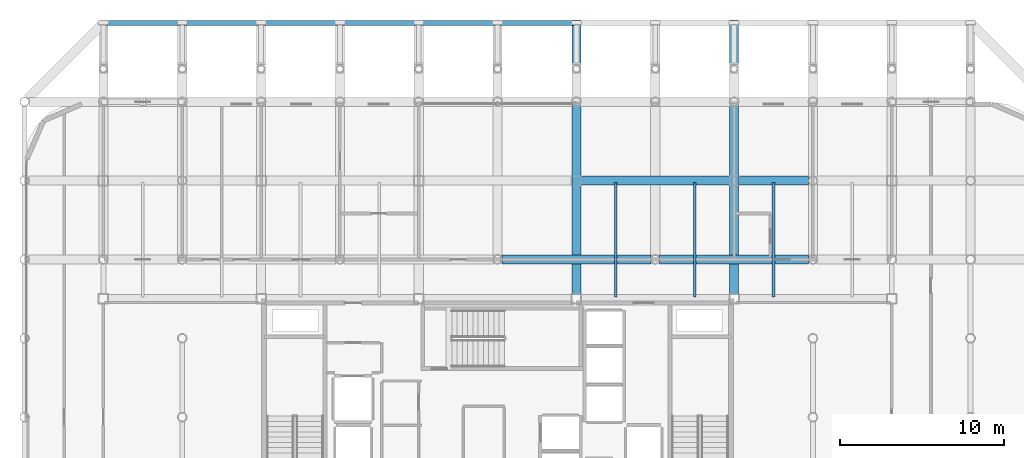
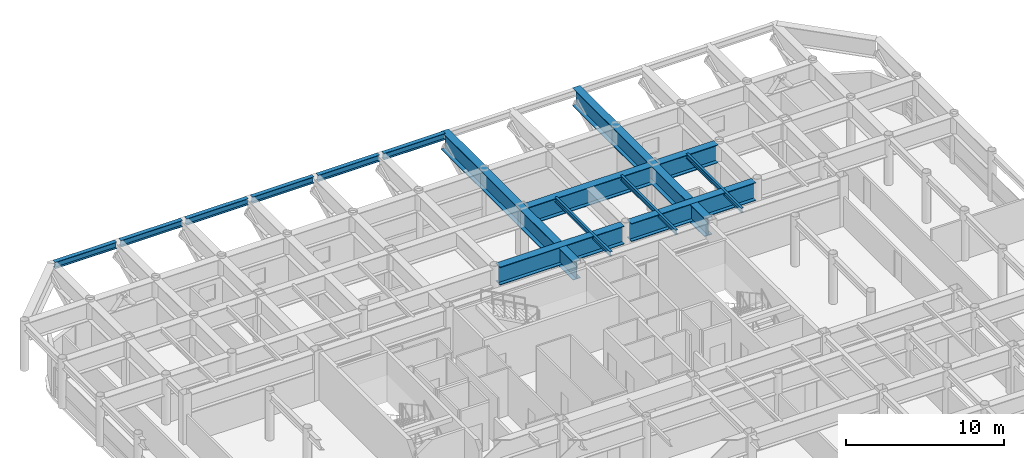
# One storey, part 15 of 24: 15 beams.
"""IFC4 building model written with IfcOpenShell, lengths in metres."""

from ifc_helpers import new_model, si_unit, direction, frame, origin, origin_2d, place, context, subcontext, project, spatial, i_section, extrude, material, material_profile, profile_set, type_object, element, save


model = new_model("IFC4")

# Units and contexts
model_context = context("Model", 3, precision=1e-05, world=origin(), true_north=direction((0.0, 1.0)))
body_context = subcontext(model_context, "Body", "Model", "MODEL_VIEW")
ifc_project = project(units=[si_unit("LENGTHUNIT", "METRE"), si_unit("AREAUNIT", "SQUARE_METRE"), si_unit("VOLUMEUNIT", "CUBIC_METRE"), si_unit("PLANEANGLEUNIT", "RADIAN"), si_unit("MASSUNIT", "GRAM", prefix="KILO")], contexts=[model_context])

# Site, building, storey
site_placement = place(None, origin())
site = spatial("IfcSite", under=ifc_project, at=site_placement, CompositionType="ELEMENT")
building_placement = place(site_placement, origin())
building = spatial("IfcBuilding", under=site, at=building_placement, Name="Kallvorn Hotel Tower", CompositionType="ELEMENT")
storey_placement = place(building_placement, frame((0.0, 0.0, 218.449951171875)))
storey = spatial("IfcBuildingStorey", under=building, at=storey_placement, Name="L54", CompositionType="ELEMENT", Elevation=218.449951171875)

# Beams
ifc_material_1 = material(Name="Structural steel S355JR", Category="steel")
ifc_material_profile_1 = material_profile(ifc_material_1, i_section(OverallWidth=0.300048828125, OverallDepth=0.5, WebThickness=0.014404296875, FlangeThickness=0.028076171875, at=origin_2d()), Name="HE 500 B")
ifc_profile_set_1 = profile_set([ifc_material_profile_1], Name="Structural steel S355JR")
beam_type_1 = type_object("IfcBeamType", Name="BM_HE500B", PredefinedType="SPANDREL", material=ifc_profile_set_1)
for number, where, z_axis, x_axis, name in (
    (1, (-23.85009765625, 24.0, 3.420166015625), (1.0, 0.0, 0.0), (0.0, 1.0, 0.0), "L55 Perimeter Spandrel 176"),
    (2, (-19.050048828125, 24.0, 3.420166015625), (1.0, 0.0, 0.0), (0.0, 1.0, 0.0), "L55 Perimeter Spandrel 177"),
    (3, (-14.25, 24.0, 3.420166015625), (1.0, 0.0, 0.0), (0.0, 1.0, 0.0), "L55 Perimeter Spandrel 178"),
    (4, (-9.449951171875, 24.0, 3.420166015625), (1.0, 0.0, 0.0), (0.0, 1.0, 0.0), "L55 Perimeter Spandrel 179"),
    (5, (-4.64990234375, 24.0, 3.420166015625), (1.0, 0.0, 0.0), (0.0, 1.0, 0.0), "L55 Perimeter Spandrel 180"),
    (6, (0.14990234375, 24.0, 3.420166015625), (1.0, 0.0, 0.0), (0.0, 1.0, 0.0), "L55 Perimeter Spandrel 181"),
):
    element("IfcBeam", number, at=place(storey_placement, frame(where, z_axis=z_axis, x_axis=x_axis)), inside=storey, type_object=beam_type_1, Name=name, PredefinedType="SPANDREL", context=body_context, shape_type="SweptSolid", body=[
        extrude(i_section(OverallWidth=0.300048828125, OverallDepth=0.5, WebThickness=0.014404296875, FlangeThickness=0.028076171875, at=origin_2d()), origin(), (0.0, 0.0, 1.0), 4.5),
    ])
ifc_material_2 = material(Name="Structural steel S355JR", Category="steel")
ifc_material_profile_2 = material_profile(ifc_material_2, i_section(OverallWidth=0.169921875, OverallDepth=0.360107421875, WebThickness=0.008056640625, FlangeThickness=0.0126953125, at=origin_2d()), Name="IPE 360")
ifc_profile_set_2 = profile_set([ifc_material_profile_2], Name="Structural steel S355JR")
beam_type_2 = type_object("IfcBeamType", Name="BM_IPE360", PredefinedType="JOIST", material=ifc_profile_set_2)
for number, where, z_axis, x_axis, name in (
    (7, (7.199951171875, 7.300048828125, 3.489990234375), (0.0, 1.0, 0.0), (-1.0, 0.0, 0.0), "L55 Secondary Composite Joist 216"),
    (8, (12.0, 7.300048828125, 3.489990234375), (0.0, 1.0, 0.0), (-1.0, 0.0, 0.0), "L55 Secondary Composite Joist 218"),
    (9, (16.800048828125, 7.300048828125, 3.489990234375), (0.0, 1.0, 0.0), (-1.0, 0.0, 0.0), "L55 Secondary Composite Joist 220"),
):
    element("IfcBeam", number, at=place(storey_placement, frame(where, z_axis=z_axis, x_axis=x_axis)), inside=storey, type_object=beam_type_2, Name=name, PredefinedType="JOIST", context=body_context, shape_type="SweptSolid", body=[
        extrude(i_section(OverallWidth=0.169921875, OverallDepth=0.360107421875, WebThickness=0.008056640625, FlangeThickness=0.0126953125, at=origin_2d()), origin(), (0.0, 0.0, 1.0), 7.0),
    ])
ifc_material_3 = material(Name="Structural steel S355JR", Category="steel")
ifc_material_profile_3 = material_profile(ifc_material_3, i_section(OverallWidth=0.550048828125, OverallDepth=1.39990234375, WebThickness=0.02490234375, FlangeThickness=0.044921875, at=origin_2d()), Name="PG 1400x550x25x45")
ifc_profile_set_3 = profile_set([ifc_material_profile_3], Name="Structural steel S355JR")
beam_type_3 = type_object("IfcBeamType", Name="BM_PG_1400", PredefinedType="BEAM", material=ifc_profile_set_3)
for number, where, z_axis, x_axis, name in (
    (10, (4.800048828125, 7.489990234375, 2.969970703125), (0.0, 1.0, 0.0), (-1.0, 0.0, 0.0), "L55 Continuous Cantilever Transfer Girder 07"),
    (11, (14.39990234375, 7.489990234375, 2.969970703125), (0.0, 1.0, 0.0), (-1.0, 0.0, 0.0), "L55 Continuous Cantilever Transfer Girder 09"),
):
    element("IfcBeam", number, at=place(storey_placement, frame(where, z_axis=z_axis, x_axis=x_axis)), inside=storey, type_object=beam_type_3, Name=name, PredefinedType="BEAM", context=body_context, shape_type="SweptSolid", body=[
        extrude(i_section(OverallWidth=0.550048828125, OverallDepth=1.39990234375, WebThickness=0.02490234375, FlangeThickness=0.044921875, at=origin_2d()), origin(), (0.0, 0.0, 1.0), 16.68994140625),
    ])
for number, where, z_axis, x_axis, name in (
    (12, (0.25439453125, 9.60009765625, 2.969970703125), (1.0, 0.0, 0.0), (0.0, 1.0, 0.0), "L55 Primary X-Girder 59"),
    (13, (9.8544921875, 9.60009765625, 2.969970703125), (1.0, 0.0, 0.0), (0.0, 1.0, 0.0), "L55 Primary X-Girder 60"),
):
    element("IfcBeam", number, at=place(storey_placement, frame(where, z_axis=z_axis, x_axis=x_axis)), inside=storey, type_object=beam_type_3, Name=name, PredefinedType="BEAM", context=body_context, shape_type="SweptSolid", body=[
        extrude(i_section(OverallWidth=0.550048828125, OverallDepth=1.39990234375, WebThickness=0.02490234375, FlangeThickness=0.044921875, at=origin_2d()), origin(), (0.0, 0.0, 1.0), 9.091064453125),
    ])
beam_1_placement = place(storey_placement, frame((5.074951171875, 14.39990234375, 2.969970703125), z_axis=(1.0, 0.0, 0.0), x_axis=(0.0, 1.0, 0.0)))
element("IfcBeam", 14, at=beam_1_placement, inside=storey, type_object=beam_type_3, Name="L55 Primary X-Girder 69", PredefinedType="BEAM", context=body_context, shape_type="SweptSolid", body=[
    extrude(i_section(OverallWidth=0.550048828125, OverallDepth=1.39990234375, WebThickness=0.02490234375, FlangeThickness=0.044921875, at=origin_2d()), origin(), (0.0, 0.0, 1.0), 9.050048828125),
])
beam_2_placement = place(storey_placement, frame((14.675048828125, 14.39990234375, 2.969970703125), z_axis=(1.0, 0.0, 0.0), x_axis=(0.0, 1.0, 0.0)))
element("IfcBeam", 15, at=beam_2_placement, inside=storey, type_object=beam_type_3, Name="L55 Primary X-Girder 70", PredefinedType="BEAM", context=body_context, shape_type="SweptSolid", body=[
    extrude(i_section(OverallWidth=0.550048828125, OverallDepth=1.39990234375, WebThickness=0.02490234375, FlangeThickness=0.044921875, at=origin_2d()), origin(), (0.0, 0.0, 1.0), 4.2705078125),
])

save(model, "model.ifc")
